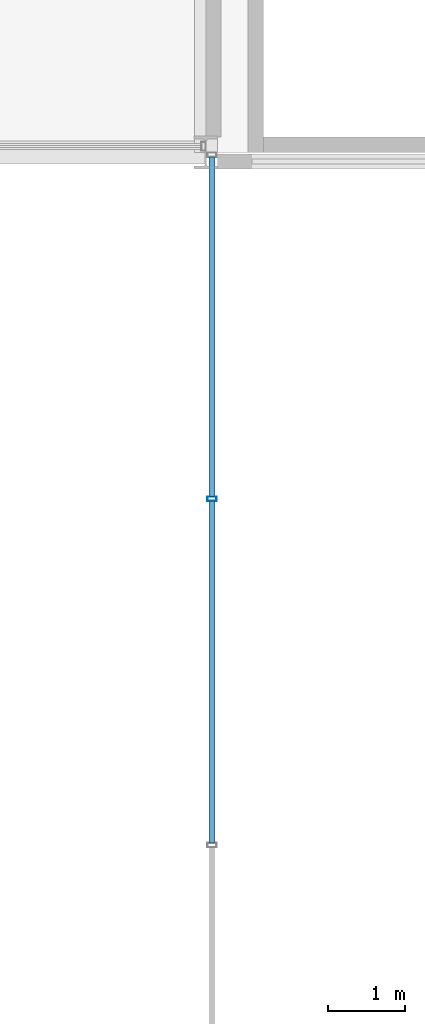
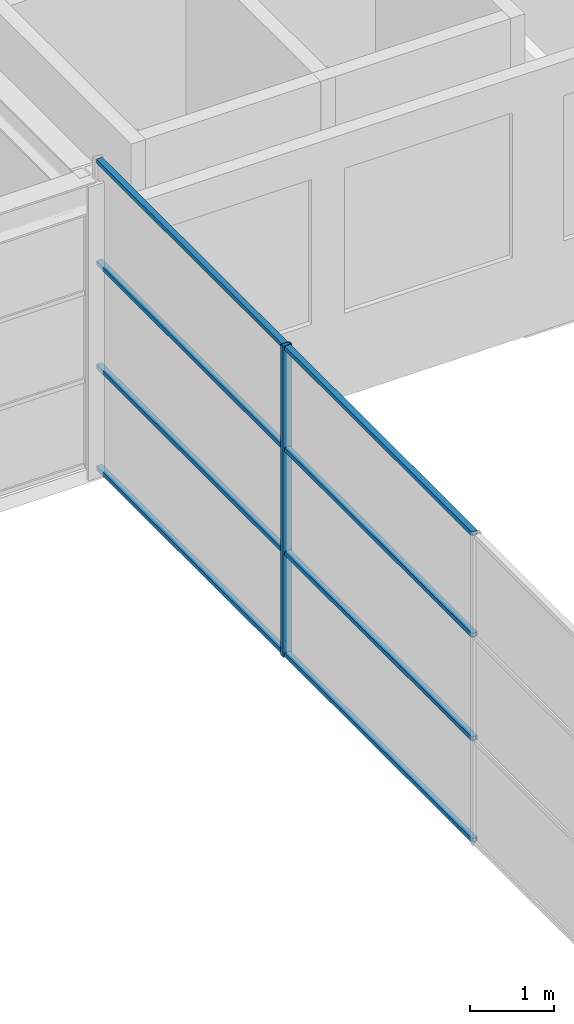
# One storey, part 18 of 70: 9 members, 1 element without a shape of its own.
"""IFC4 building model written with IfcOpenShell, lengths in metres."""

from ifc_helpers import new_model, si_unit, direction, frame, origin, origin_2d, place, context, subcontext, project, spatial, hollow_rectangle, extrude, material, material_profile, profile_set, type_object, element, aggregate, save


model = new_model("IFC4")

# Units and contexts
model_context = context("Model", 3, precision=1e-05, world=origin(), true_north=direction((0.0, 1.0)))
body_context = subcontext(model_context, "Body", "Model", "MODEL_VIEW")
ifc_project = project(units=[si_unit("LENGTHUNIT", "METRE"), si_unit("AREAUNIT", "SQUARE_METRE"), si_unit("VOLUMEUNIT", "CUBIC_METRE"), si_unit("PLANEANGLEUNIT", "RADIAN"), si_unit("MASSUNIT", "GRAM", prefix="KILO")], contexts=[model_context])

# Site, building, storey
site_placement = place(None, origin())
site = spatial("IfcSite", under=ifc_project, at=site_placement, CompositionType="ELEMENT")
building_placement = place(site_placement, origin())
building = spatial("IfcBuilding", under=site, at=building_placement, Name="Kallimachos Central Library", CompositionType="ELEMENT")
storey_placement = place(building_placement, frame((0.0, 0.0, 18.89990234375)))
storey = spatial("IfcBuildingStorey", under=building, at=storey_placement, Name="L04", CompositionType="ELEMENT", Elevation=18.89990234375)

# Curtain wall, members
ifc_material_1 = material(Name="Aluminium and laminated glass", Category="aluminium")
curtain_wall_type = type_object("IfcCurtainWallType", Name="Atrium glazed screen", PredefinedType="NOTDEFINED", material=ifc_material_1)
curtain_wall_placement = place(storey_placement, origin())
curtain_wall = element("IfcCurtainWall", 1, at=curtain_wall_placement, inside=storey, type_object=curtain_wall_type, Name="L04 atrium screen E", PredefinedType="NOTDEFINED")
ifc_material_2 = material(Name="Anodised aluminium", Category="aluminium")
ifc_material_profile_1 = material_profile(ifc_material_2, hollow_rectangle(XDim=0.06005859375, YDim=0.1201171875, WallThickness=0.00390625, at=origin_2d()), Name="ALU MULLION 60x120")
ifc_profile_set_1 = profile_set([ifc_material_profile_1], Name="Anodised aluminium")
member_type_1 = type_object("IfcMemberType", Name="Atrium screen mullion", PredefinedType="MULLION", material=ifc_profile_set_1)
member_1_placement = place(storey_placement, frame((101.580078125, 70.5, 0.0), z_axis=(0.0, 0.0, 1.0), x_axis=(0.0, 1.0, 0.0)))
member_1 = element("IfcMember", 2, at=member_1_placement, type_object=member_type_1, Name="CW mullion 4", PredefinedType="MULLION", context=body_context, shape_type="SweptSolid", body=[
    extrude(hollow_rectangle(XDim=0.06005859375, YDim=0.1201171875, WallThickness=0.00390625, at=origin_2d()), origin(), (0.0, 0.0, 1.0), 4.5),
])
ifc_material_3 = material(Name="Anodised aluminium", Category="aluminium")
ifc_material_profile_2 = material_profile(ifc_material_3, hollow_rectangle(XDim=0.06005859375, YDim=0.080078125, WallThickness=0.00390625, at=origin_2d()), Name="ALU TRANSOM 60x80")
ifc_profile_set_2 = profile_set([ifc_material_profile_2], Name="Anodised aluminium")
member_type_2 = type_object("IfcMemberType", Name="Atrium screen transom", PredefinedType="USERDEFINED", material=ifc_profile_set_2)
member_2_placement = place(storey_placement, frame((101.580078125, 66.030029296875, 0.030029296875), z_axis=(0.0, 1.0, 0.0), x_axis=(0.0, 0.0, 1.0)))
member_2 = element("IfcMember", 3, at=member_2_placement, type_object=member_type_2, Name="CW transom 3.1", ObjectType="TRANSOM", PredefinedType="USERDEFINED", context=body_context, shape_type="SweptSolid", body=[
    extrude(hollow_rectangle(XDim=0.06005859375, YDim=0.080078125, WallThickness=0.00390625, at=origin_2d()), origin(), (0.0, 0.0, 1.0), 4.43994140625),
])
member_3_placement = place(storey_placement, frame((101.580078125, 66.030029296875, 1.5), z_axis=(0.0, 1.0, 0.0), x_axis=(0.0, 0.0, 1.0)))
member_3 = element("IfcMember", 4, at=member_3_placement, type_object=member_type_2, Name="CW transom 3.2", ObjectType="TRANSOM", PredefinedType="USERDEFINED", context=body_context, shape_type="SweptSolid", body=[
    extrude(hollow_rectangle(XDim=0.06005859375, YDim=0.080078125, WallThickness=0.00390625, at=origin_2d()), origin(), (0.0, 0.0, 1.0), 4.43994140625),
])
member_4_placement = place(storey_placement, frame((101.580078125, 66.030029296875, 3.0), z_axis=(0.0, 1.0, 0.0), x_axis=(0.0, 0.0, 1.0)))
member_4 = element("IfcMember", 5, at=member_4_placement, type_object=member_type_2, Name="CW transom 3.3", ObjectType="TRANSOM", PredefinedType="USERDEFINED", context=body_context, shape_type="SweptSolid", body=[
    extrude(hollow_rectangle(XDim=0.06005859375, YDim=0.080078125, WallThickness=0.00390625, at=origin_2d()), origin(), (0.0, 0.0, 1.0), 4.43994140625),
])
member_5_placement = place(storey_placement, frame((101.580078125, 66.030029296875, 4.47021484375), z_axis=(0.0, 1.0, 0.0), x_axis=(0.0, 0.0, 1.0)))
member_5 = element("IfcMember", 6, at=member_5_placement, type_object=member_type_2, Name="CW transom 3.4", ObjectType="TRANSOM", PredefinedType="USERDEFINED", context=body_context, shape_type="SweptSolid", body=[
    extrude(hollow_rectangle(XDim=0.06005859375, YDim=0.080078125, WallThickness=0.00390625, at=origin_2d()), origin(), (0.0, 0.0, 1.0), 4.43994140625),
])
member_6_placement = place(storey_placement, frame((101.580078125, 70.530029296875, 0.030029296875), z_axis=(0.0, 1.0, 0.0), x_axis=(0.0, 0.0, 1.0)))
member_6 = element("IfcMember", 7, at=member_6_placement, type_object=member_type_2, Name="CW transom 4.1", ObjectType="TRANSOM", PredefinedType="USERDEFINED", context=body_context, shape_type="SweptSolid", body=[
    extrude(hollow_rectangle(XDim=0.06005859375, YDim=0.080078125, WallThickness=0.00390625, at=origin_2d()), origin(), (0.0, 0.0, 1.0), 4.409912109375),
])
member_7_placement = place(storey_placement, frame((101.580078125, 70.530029296875, 1.5), z_axis=(0.0, 1.0, 0.0), x_axis=(0.0, 0.0, 1.0)))
member_7 = element("IfcMember", 8, at=member_7_placement, type_object=member_type_2, Name="CW transom 4.2", ObjectType="TRANSOM", PredefinedType="USERDEFINED", context=body_context, shape_type="SweptSolid", body=[
    extrude(hollow_rectangle(XDim=0.06005859375, YDim=0.080078125, WallThickness=0.00390625, at=origin_2d()), origin(), (0.0, 0.0, 1.0), 4.409912109375),
])
member_8_placement = place(storey_placement, frame((101.580078125, 70.530029296875, 3.0), z_axis=(0.0, 1.0, 0.0), x_axis=(0.0, 0.0, 1.0)))
member_8 = element("IfcMember", 9, at=member_8_placement, type_object=member_type_2, Name="CW transom 4.3", ObjectType="TRANSOM", PredefinedType="USERDEFINED", context=body_context, shape_type="SweptSolid", body=[
    extrude(hollow_rectangle(XDim=0.06005859375, YDim=0.080078125, WallThickness=0.00390625, at=origin_2d()), origin(), (0.0, 0.0, 1.0), 4.409912109375),
])
member_9_placement = place(storey_placement, frame((101.580078125, 70.530029296875, 4.47021484375), z_axis=(0.0, 1.0, 0.0), x_axis=(0.0, 0.0, 1.0)))
member_9 = element("IfcMember", 10, at=member_9_placement, type_object=member_type_2, Name="CW transom 4.4", ObjectType="TRANSOM", PredefinedType="USERDEFINED", context=body_context, shape_type="SweptSolid", body=[
    extrude(hollow_rectangle(XDim=0.06005859375, YDim=0.080078125, WallThickness=0.00390625, at=origin_2d()), origin(), (0.0, 0.0, 1.0), 4.409912109375),
])
aggregate(curtain_wall, [member_1, member_2, member_3, member_4, member_5, member_6, member_7, member_8, member_9])

save(model, "model.ifc")
